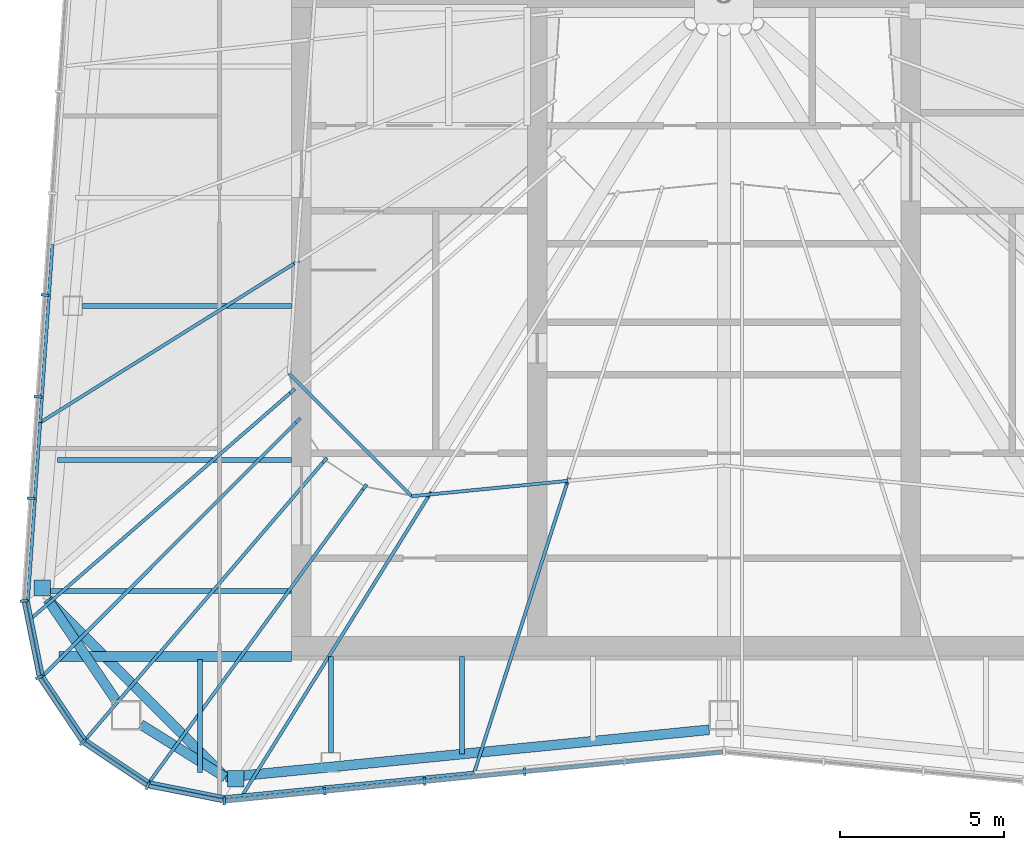
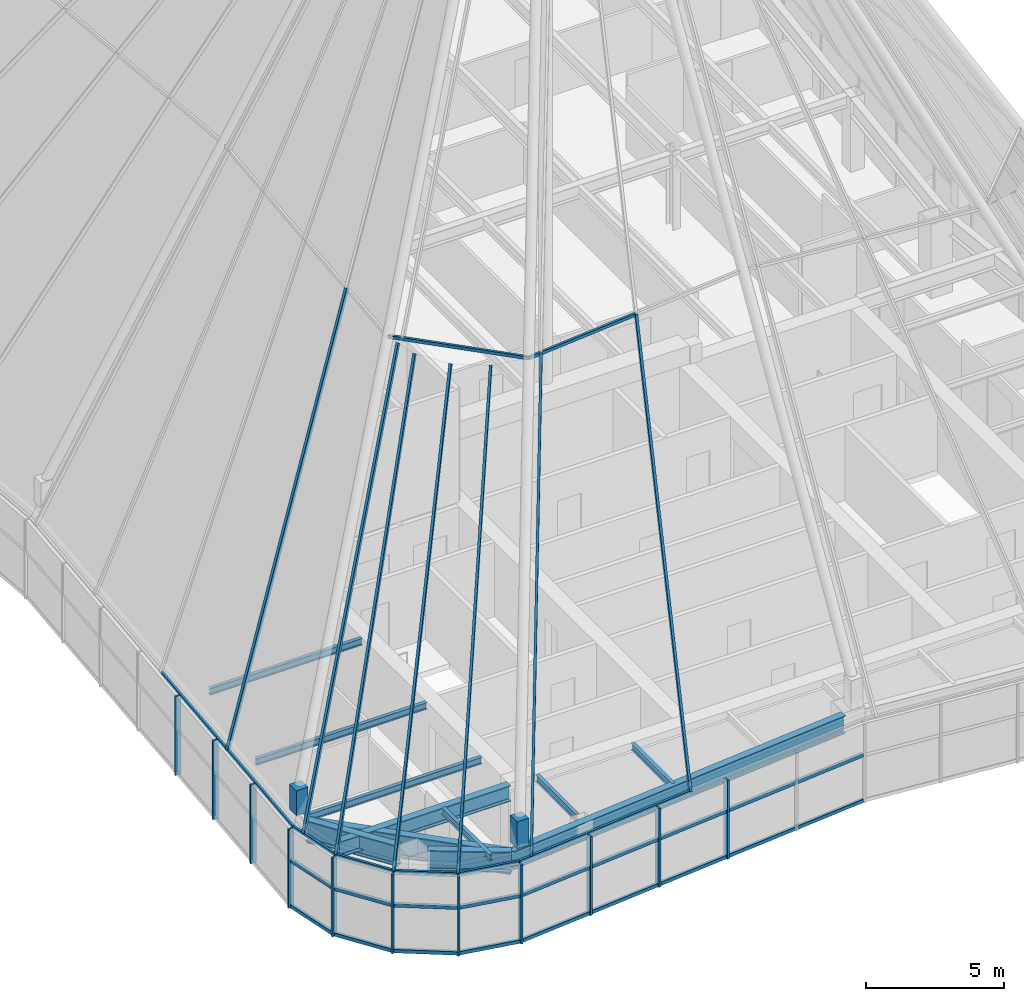
# One storey, part 3 of 28: 39 members, 11 beams, 13 elements without a shape of their own.
"""IFC4 building model written with IfcOpenShell, lengths in metres."""

from ifc_helpers import new_model, si_unit, direction, frame, origin, origin_2d, place, context, subcontext, project, spatial, rectangle, i_section, extrude, material, layer, layer_set, material_profile, profile_set, type_object, element, aggregate, save


model = new_model("IFC4")

# Units and contexts
model_context = context("Model", 3, precision=1e-05, world=origin(), true_north=direction((0.0, 1.0)))
body_context = subcontext(model_context, "Body", "Model", "MODEL_VIEW")
ifc_project = project(units=[si_unit("LENGTHUNIT", "METRE"), si_unit("AREAUNIT", "SQUARE_METRE"), si_unit("VOLUMEUNIT", "CUBIC_METRE"), si_unit("PLANEANGLEUNIT", "RADIAN"), si_unit("MASSUNIT", "GRAM", prefix="KILO")], contexts=[model_context])

# Site, building, storey
site_placement = place(None, origin())
site = spatial("IfcSite", under=ifc_project, at=site_placement, CompositionType="ELEMENT")
building_placement = place(site_placement, origin())
building = spatial("IfcBuilding", under=site, at=building_placement, Name="Verdant Reach Tower", CompositionType="ELEMENT")
storey_placement = place(building_placement, frame((0.0, 0.0, 368.0)))
storey = spatial("IfcBuildingStorey", under=building, at=storey_placement, Name="L83 Crown plant", CompositionType="ELEMENT", Elevation=368.0)

# Curtain wall, members
ifc_material_1 = material(Name="Anodised aluminium", Category="aluminium")
curtain_wall_type_1 = type_object("IfcCurtainWallType", Name="EN-CW SYSTEM PLANT", PredefinedType="NOTDEFINED", material=ifc_material_1)
curtain_wall_1_placement = place(storey_placement, origin())
curtain_wall_1 = element("IfcCurtainWall", 1, at=curtain_wall_1_placement, inside=storey, type_object=curtain_wall_type_1, Name="Curtain wall west, L83", PredefinedType="NOTDEFINED")
ifc_material_profile_1 = material_profile(ifc_material_1, rectangle(XDim=0.238037109375, YDim=0.080078125, at=origin_2d()), Name="Mullion 80x240")
ifc_profile_set_1 = profile_set([ifc_material_profile_1], Name="Anodised aluminium")
member_type_1 = type_object("IfcMemberType", Name="EN-MULLION PLANT", PredefinedType="MULLION", material=ifc_profile_set_1)
member_1_placement = place(storey_placement, frame((-20.725830078125, 28.82958984375, -0.35009765625), z_axis=(0.0, 0.0, 1.0), x_axis=(-0.997630328423, 0.068802091615, 0.0)))
member_1 = element("IfcMember", 2, at=member_1_placement, type_object=member_type_1, Name="Mullion west face part 2 5, L83", PredefinedType="MULLION", context=body_context, shape_type="SweptSolid", body=[
    extrude(rectangle(XDim=0.238037109375, YDim=0.080078125, at=origin_2d()), origin(), (0.0, 0.0, 1.0), 3.5),
])
member_2_placement = place(storey_placement, frame((-20.940185546875, 25.722412109375, -0.35009765625), z_axis=(0.0, 0.0, 1.0), x_axis=(-0.997630328423, 0.068802091615, 0.0)))
member_2 = element("IfcMember", 3, at=member_2_placement, type_object=member_type_1, Name="Mullion west face part 2 6, L83", PredefinedType="MULLION", context=body_context, shape_type="SweptSolid", body=[
    extrude(rectangle(XDim=0.238037109375, YDim=0.080078125, at=origin_2d()), origin(), (0.0, 0.0, 1.0), 3.5),
])
member_3_placement = place(storey_placement, frame((-21.154541015625, 22.615234375, -0.35009765625), z_axis=(0.0, 0.0, 1.0), x_axis=(-0.997630328423, 0.068802091615, 0.0)))
member_3 = element("IfcMember", 4, at=member_3_placement, type_object=member_type_1, Name="Mullion west face part 2 7, L83", PredefinedType="MULLION", context=body_context, shape_type="SweptSolid", body=[
    extrude(rectangle(XDim=0.238037109375, YDim=0.080078125, at=origin_2d()), origin(), (0.0, 0.0, 1.0), 3.5),
])
aggregate(curtain_wall_1, [member_1, member_2, member_3])

curtain_wall_2_placement = place(storey_placement, origin())
curtain_wall_2 = element("IfcCurtainWall", 5, at=curtain_wall_2_placement, inside=storey, type_object=curtain_wall_type_1, Name="Curtain wall south-west corner, L83", PredefinedType="NOTDEFINED")
member_4_placement = place(storey_placement, frame((-21.36865234375, 19.492431640625, -0.35009765625), z_axis=(0.0, 0.0, 1.0), x_axis=(-0.997969180898, -0.063698618332, 0.0)))
member_4 = element("IfcMember", 6, at=member_4_placement, type_object=member_type_1, Name="Mullion south-west corner 1, L83", PredefinedType="MULLION", context=body_context, shape_type="SweptSolid", body=[
    extrude(rectangle(XDim=0.238037109375, YDim=0.080078125, at=origin_2d()), origin(), (0.0, 0.0, 1.0), 3.5),
])
member_5_placement = place(storey_placement, frame((-20.9033203125, 17.158447265625, -0.35009765625), z_axis=(0.0, 0.0, 1.0), x_axis=(-0.923875215753, -0.382693853776, 0.0)))
member_5 = element("IfcMember", 7, at=member_5_placement, type_object=member_type_1, Name="Mullion south-west corner 2, L83", PredefinedType="MULLION", context=body_context, shape_type="SweptSolid", body=[
    extrude(rectangle(XDim=0.238037109375, YDim=0.080078125, at=origin_2d()), origin(), (0.0, 0.0, 1.0), 3.5),
])
member_6_placement = place(storey_placement, frame((-19.57666015625, 15.17333984375, -0.35009765625), z_axis=(0.0, 0.0, 1.0), x_axis=(-0.707106781187, -0.707106781187, 0.0)))
member_6 = element("IfcMember", 8, at=member_6_placement, type_object=member_type_1, Name="Mullion south-west corner 3, L83", PredefinedType="MULLION", context=body_context, shape_type="SweptSolid", body=[
    extrude(rectangle(XDim=0.238037109375, YDim=0.080078125, at=origin_2d()), origin(), (0.0, 0.0, 1.0), 3.5),
])
member_7_placement = place(storey_placement, frame((-17.591552734375, 13.8466796875, -0.35009765625), z_axis=(0.0, 0.0, 1.0), x_axis=(-0.382693853776, -0.923875215753, 0.0)))
member_7 = element("IfcMember", 9, at=member_7_placement, type_object=member_type_1, Name="Mullion south-west corner 4, L83", PredefinedType="MULLION", context=body_context, shape_type="SweptSolid", body=[
    extrude(rectangle(XDim=0.238037109375, YDim=0.080078125, at=origin_2d()), origin(), (0.0, 0.0, 1.0), 3.5),
])

curtain_wall_3_placement = place(storey_placement, origin())
curtain_wall_3 = element("IfcCurtainWall", 10, at=curtain_wall_3_placement, inside=storey, type_object=curtain_wall_type_1, Name="Curtain wall south, L83", PredefinedType="NOTDEFINED")
member_8_placement = place(storey_placement, frame((-15.255859375, 13.381103515625, -0.35009765625), z_axis=(0.0, 0.0, 1.0), x_axis=(-0.049127596288, -0.998792510626, 0.0)))
member_8 = element("IfcMember", 11, at=member_8_placement, type_object=member_type_1, Name="Mullion south face part 1 1, L83", PredefinedType="MULLION", context=body_context, shape_type="SweptSolid", body=[
    extrude(rectangle(XDim=0.238037109375, YDim=0.080078125, at=origin_2d()), origin(), (0.0, 0.0, 1.0), 3.5),
])
member_9_placement = place(storey_placement, frame((-12.188232421875, 13.681640625, -0.35009765625), z_axis=(0.0, 0.0, 1.0), x_axis=(0.09788826992, -0.995197410875, 0.0)))
member_9 = element("IfcMember", 12, at=member_9_placement, type_object=member_type_1, Name="Mullion south face part 1 2, L83", PredefinedType="MULLION", context=body_context, shape_type="SweptSolid", body=[
    extrude(rectangle(XDim=0.238037109375, YDim=0.080078125, at=origin_2d()), origin(), (0.0, 0.0, 1.0), 3.5),
])
member_10_placement = place(storey_placement, frame((-9.138427734375, 13.981689453125, -0.35009765625), z_axis=(0.0, 0.0, 1.0), x_axis=(0.09788826992, -0.995197410875, 0.0)))
member_10 = element("IfcMember", 13, at=member_10_placement, type_object=member_type_1, Name="Mullion south face part 1 3, L83", PredefinedType="MULLION", context=body_context, shape_type="SweptSolid", body=[
    extrude(rectangle(XDim=0.238037109375, YDim=0.080078125, at=origin_2d()), origin(), (0.0, 0.0, 1.0), 3.5),
])
member_11_placement = place(storey_placement, frame((-6.08837890625, 14.281494140625, -0.35009765625), z_axis=(0.0, 0.0, 1.0), x_axis=(0.09788826992, -0.995197410875, 0.0)))
member_11 = element("IfcMember", 14, at=member_11_placement, type_object=member_type_1, Name="Mullion south face part 1 4, L83", PredefinedType="MULLION", context=body_context, shape_type="SweptSolid", body=[
    extrude(rectangle(XDim=0.238037109375, YDim=0.080078125, at=origin_2d()), origin(), (0.0, 0.0, 1.0), 3.5),
])

# Curtain wall, member
curtain_wall_type_2 = type_object("IfcCurtainWallType", Name="EN-CW SYSTEM CROWN APEX", PredefinedType="NOTDEFINED", material=ifc_material_1)
curtain_wall_4_placement = place(storey_placement, origin())
curtain_wall_4 = element("IfcCurtainWall", 15, at=curtain_wall_4_placement, inside=storey, type_object=curtain_wall_type_2, Name="Crown glazing unit west face part 2 4, level 01", PredefinedType="NOTDEFINED")
ifc_material_profile_2 = material_profile(ifc_material_1, rectangle(XDim=0.10009765625, YDim=0.239990234375, at=origin_2d()), Name="Mullion 100x240")
ifc_profile_set_2 = profile_set([ifc_material_profile_2], Name="Anodised aluminium")
member_type_2 = type_object("IfcMemberType", Name="EN-RIB MULLION CROWN", PredefinedType="MULLION", material=ifc_profile_set_2)
member_12_placement = place(storey_placement, frame((-20.875, 24.9375, 3.14990234375), z_axis=(0.449012699639, 0.280969024625, 0.848200449637), x_axis=(-0.53045514425, 0.847713005644, 0.0)))
member_12 = element("IfcMember", 16, at=member_12_placement, type_object=member_type_2, Name="Crown mullion west face part 2 4, level 01", PredefinedType="MULLION", context=body_context, shape_type="SweptSolid", body=[
    extrude(rectangle(XDim=0.10009765625, YDim=0.239990234375, at=origin_2d()), origin(), (0.0, 0.0, 1.0), 17.43408203125),
])

curtain_wall_5_placement = place(storey_placement, origin())
curtain_wall_5 = element("IfcCurtainWall", 17, at=curtain_wall_5_placement, inside=storey, type_object=curtain_wall_type_2, Name="Crown glazing unit south-west corner 1, level 01", PredefinedType="NOTDEFINED")
member_13_placement = place(storey_placement, frame((-21.142822265625, 18.96044921875, 3.14990234375), z_axis=(0.438464049798, 0.381721643354, 0.81365709241), x_axis=(-0.656617966376, 0.754223339756, 0.0)))
member_13 = element("IfcMember", 18, at=member_13_placement, type_object=member_type_2, Name="Crown mullion south-west corner 1, level 01", PredefinedType="MULLION", context=body_context, shape_type="SweptSolid", body=[
    extrude(rectangle(XDim=0.10009765625, YDim=0.239990234375, at=origin_2d()), origin(), (0.0, 0.0, 1.0), 18.17431640625),
])

curtain_wall_6_placement = place(storey_placement, origin())
curtain_wall_6 = element("IfcCurtainWall", 19, at=curtain_wall_6_placement, inside=storey, type_object=curtain_wall_type_2, Name="Crown glazing unit south-west corner 2, level 01", PredefinedType="NOTDEFINED")
member_14_placement = place(storey_placement, frame((-20.793212890625, 17.203857421875, 3.14990234375), z_axis=(0.422691274786, 0.42275744851, 0.801628483744), x_axis=(-0.707162124646, 0.707051433395, 0.0)))
member_14 = element("IfcMember", 20, at=member_14_placement, type_object=member_type_2, Name="Crown mullion south-west corner 2, level 01", PredefinedType="MULLION", context=body_context, shape_type="SweptSolid", body=[
    extrude(rectangle(XDim=0.10009765625, YDim=0.239990234375, at=origin_2d()), origin(), (0.0, 0.0, 1.0), 18.447021484375),
])

curtain_wall_7_placement = place(storey_placement, origin())
curtain_wall_7 = element("IfcCurtainWall", 21, at=curtain_wall_7_placement, inside=storey, type_object=curtain_wall_type_2, Name="Crown glazing unit south-west corner 3, level 01", PredefinedType="NOTDEFINED")
member_15_placement = place(storey_placement, frame((-19.49267578125, 15.25732421875, 3.14990234375), z_axis=(0.393636847085, 0.459267091253, 0.796318888077), x_axis=(-0.759273478803, 0.650771683762, 0.0)))
member_15 = element("IfcMember", 22, at=member_15_placement, type_object=member_type_2, Name="Crown mullion south-west corner 3, level 01", PredefinedType="MULLION", context=body_context, shape_type="SweptSolid", body=[
    extrude(rectangle(XDim=0.10009765625, YDim=0.239990234375, at=origin_2d()), origin(), (0.0, 0.0, 1.0), 18.56982421875),
])

curtain_wall_8_placement = place(storey_placement, origin())
curtain_wall_8 = element("IfcCurtainWall", 23, at=curtain_wall_8_placement, inside=storey, type_object=curtain_wall_type_2, Name="Crown glazing unit south-west corner 4, level 01", PredefinedType="NOTDEFINED")
member_16_placement = place(storey_placement, frame((-17.546142578125, 13.956787109375, 3.14990234375), z_axis=(0.355144326864, 0.486641682724, 0.798155611226), x_axis=(-0.807769272417, 0.589498772296, 0.0)))
member_16 = element("IfcMember", 24, at=member_16_placement, type_object=member_type_2, Name="Crown mullion south-west corner 4, level 01", PredefinedType="MULLION", context=body_context, shape_type="SweptSolid", body=[
    extrude(rectangle(XDim=0.10009765625, YDim=0.239990234375, at=origin_2d()), origin(), (0.0, 0.0, 1.0), 18.527099609375),
])

curtain_wall_9_placement = place(storey_placement, origin())
curtain_wall_9 = element("IfcCurtainWall", 25, at=curtain_wall_9_placement, inside=storey, type_object=curtain_wall_type_2, Name="Crown glazing unit south face part 1 1, level 01", PredefinedType="NOTDEFINED")
member_17_placement = place(storey_placement, frame((-14.70263671875, 13.553955078125, 3.14990234375), z_axis=(0.312082184121, 0.501377935145, 0.806985053458), x_axis=(-0.848970240375, 0.528440659826, 0.0)))
member_17 = element("IfcMember", 26, at=member_17_placement, type_object=member_type_2, Name="Crown mullion south face part 1 1, level 01", PredefinedType="MULLION", context=body_context, shape_type="SweptSolid", body=[
    extrude(rectangle(XDim=0.10009765625, YDim=0.239990234375, at=origin_2d()), origin(), (0.0, 0.0, 1.0), 18.324462890625),
])

curtain_wall_10_placement = place(storey_placement, origin())
curtain_wall_10 = element("IfcCurtainWall", 27, at=curtain_wall_10_placement, inside=storey, type_object=curtain_wall_type_2, Name="Crown glazing unit south face part 1 2, level 01", PredefinedType="NOTDEFINED")
member_18_placement = place(storey_placement, frame((-7.625, 14.25, 3.14990234375), z_axis=(0.163414106655, 0.508994758433, 0.845115474734), x_axis=(-0.952132785838, 0.305684736506, 0.0)))
member_18 = element("IfcMember", 28, at=member_18_placement, type_object=member_type_2, Name="Crown mullion south face part 1 2, level 01", PredefinedType="MULLION", context=body_context, shape_type="SweptSolid", body=[
    extrude(rectangle(XDim=0.10009765625, YDim=0.239990234375, at=origin_2d()), origin(), (0.0, 0.0, 1.0), 17.497802734375),
])
aggregate(curtain_wall_10, [member_18])

curtain_wall_11_placement = place(storey_placement, origin())
curtain_wall_11 = element("IfcCurtainWall", 29, at=curtain_wall_11_placement, inside=storey, type_object=curtain_wall_type_2, Name="Crown glazing unit west face part 2 3, level 01", PredefinedType="NOTDEFINED")
ifc_material_profile_3 = material_profile(ifc_material_1, rectangle(XDim=0.10009765625, YDim=0.139892578125, at=origin_2d()), Name="Transom 140x100")
ifc_profile_set_3 = profile_set([ifc_material_profile_3], Name="Anodised aluminium")
member_type_3 = type_object("IfcMemberType", Name="EN-TRANSOM CROWN", PredefinedType="USERDEFINED", material=ifc_profile_set_3)
member_19_placement = place(storey_placement, frame((-20.5, 30.375, 3.14990234375), z_axis=(-0.068802091615, -0.997630328423, 0.0), x_axis=(0.997630328423, -0.068802091615, 0.0)))
member_19 = element("IfcMember", 30, at=member_19_placement, type_object=member_type_3, Name="Crown transom west face part 2 3, level 01", ObjectType="TRANSOM", PredefinedType="USERDEFINED", context=body_context, shape_type="SweptSolid", body=[
    extrude(rectangle(XDim=0.10009765625, YDim=0.139892578125, at=origin_2d()), origin(), (0.0, 0.0, 1.0), 5.450439453125),
])
aggregate(curtain_wall_11, [member_19])

# Member
member_20_placement = place(storey_placement, frame((-20.875, 24.9375, 3.14990234375), z_axis=(-0.068802091615, -0.997630328423, 0.0), x_axis=(0.997630328423, -0.068802091615, 0.0)))
member_20 = element("IfcMember", 31, at=member_20_placement, type_object=member_type_3, Name="Crown transom west face part 2 4, level 01", ObjectType="TRANSOM", PredefinedType="USERDEFINED", context=body_context, shape_type="SweptSolid", body=[
    extrude(rectangle(XDim=0.10009765625, YDim=0.139892578125, at=origin_2d()), origin(), (0.0, 0.0, 1.0), 5.450439453125),
])

aggregate(curtain_wall_4, [member_12, member_20])

member_21_placement = place(storey_placement, frame((-21.25, 19.5, 3.14990234375), z_axis=(0.195113312377, -0.980780707056, 0.0), x_axis=(0.980780707056, 0.195113312377, 0.0)))
member_21 = element("IfcMember", 32, at=member_21_placement, type_object=member_type_3, Name="Crown transom south-west corner 1, level 01", ObjectType="TRANSOM", PredefinedType="USERDEFINED", context=body_context, shape_type="SweptSolid", body=[
    extrude(rectangle(XDim=0.10009765625, YDim=0.139892578125, at=origin_2d()), origin(), (0.0, 0.0, 1.0), 2.341064453125),
])

aggregate(curtain_wall_5, [member_13, member_21])

member_22_placement = place(storey_placement, frame((-20.793212890625, 17.203857421875, 3.14990234375), z_axis=(0.55554223823, -0.831488317141, 0.0), x_axis=(0.831488317141, 0.55554223823, 0.0)))
member_22 = element("IfcMember", 33, at=member_22_placement, type_object=member_type_3, Name="Crown transom south-west corner 2, level 01", ObjectType="TRANSOM", PredefinedType="USERDEFINED", context=body_context, shape_type="SweptSolid", body=[
    extrude(rectangle(XDim=0.10009765625, YDim=0.139892578125, at=origin_2d()), origin(), (0.0, 0.0, 1.0), 2.341064453125),
])

aggregate(curtain_wall_6, [member_14, member_22])

member_23_placement = place(storey_placement, frame((-19.49267578125, 15.25732421875, 3.14990234375), z_axis=(0.831488317141, -0.55554223823, 0.0), x_axis=(0.55554223823, 0.831488317141, 0.0)))
member_23 = element("IfcMember", 34, at=member_23_placement, type_object=member_type_3, Name="Crown transom south-west corner 3, level 01", ObjectType="TRANSOM", PredefinedType="USERDEFINED", context=body_context, shape_type="SweptSolid", body=[
    extrude(rectangle(XDim=0.10009765625, YDim=0.139892578125, at=origin_2d()), origin(), (0.0, 0.0, 1.0), 2.341064453125),
])

aggregate(curtain_wall_7, [member_15, member_23])

member_24_placement = place(storey_placement, frame((-17.546142578125, 13.956787109375, 3.14990234375), z_axis=(0.980780707056, -0.195113312377, 0.0), x_axis=(0.195113312377, 0.980780707056, 0.0)))
member_24 = element("IfcMember", 35, at=member_24_placement, type_object=member_type_3, Name="Crown transom south-west corner 4, level 01", ObjectType="TRANSOM", PredefinedType="USERDEFINED", context=body_context, shape_type="SweptSolid", body=[
    extrude(rectangle(XDim=0.10009765625, YDim=0.139892578125, at=origin_2d()), origin(), (0.0, 0.0, 1.0), 2.341064453125),
])

aggregate(curtain_wall_8, [member_16, member_24])

member_25_placement = place(storey_placement, frame((-15.25, 13.5, 3.14990234375), z_axis=(0.995197410875, 0.097888269922, 0.0), x_axis=(-0.097888269922, 0.995197410875, 0.0)))
member_25 = element("IfcMember", 36, at=member_25_placement, type_object=member_type_3, Name="Crown transom south face part 1 1, level 01", ObjectType="TRANSOM", PredefinedType="USERDEFINED", context=body_context, shape_type="SweptSolid", body=[
    extrude(rectangle(XDim=0.10009765625, YDim=0.139892578125, at=origin_2d()), origin(), (0.0, 0.0, 1.0), 7.661865234375),
])

aggregate(curtain_wall_9, [member_17, member_25])

# Curtain wall, member
curtain_wall_12_placement = place(storey_placement, origin())
curtain_wall_12 = element("IfcCurtainWall", 37, at=curtain_wall_12_placement, inside=storey, type_object=curtain_wall_type_2, Name="Crown glazing unit south-west corner 1, level 02", PredefinedType="NOTDEFINED")
member_26_placement = place(storey_placement, frame((-13.28125, 26.4375, 17.9375), z_axis=(0.707106781187, -0.707106781187, 0.0), x_axis=(0.707106781187, 0.707106781187, 0.0)))
member_26 = element("IfcMember", 38, at=member_26_placement, type_object=member_type_3, Name="Crown transom south-west corner 1, level 02", ObjectType="TRANSOM", PredefinedType="USERDEFINED", context=body_context, shape_type="SweptSolid", body=[
    extrude(rectangle(XDim=0.10009765625, YDim=0.139892578125, at=origin_2d()), origin(), (0.0, 0.0, 1.0), 5.30322265625),
])
aggregate(curtain_wall_12, [member_26])

curtain_wall_13_placement = place(storey_placement, origin())
curtain_wall_13 = element("IfcCurtainWall", 39, at=curtain_wall_13_placement, inside=storey, type_object=curtain_wall_type_2, Name="Crown glazing unit south face part 1 1, level 02", PredefinedType="NOTDEFINED")
member_27_placement = place(storey_placement, frame((-9.53125, 22.6875, 17.9375), z_axis=(0.995197410875, 0.097888269922, 0.0), x_axis=(-0.097888269922, 0.995197410875, 0.0)))
member_27 = element("IfcMember", 40, at=member_27_placement, type_object=member_type_3, Name="Crown transom south face part 1 1, level 02", ObjectType="TRANSOM", PredefinedType="USERDEFINED", context=body_context, shape_type="SweptSolid", body=[
    extrude(rectangle(XDim=0.10009765625, YDim=0.139892578125, at=origin_2d()), origin(), (0.0, 0.0, 1.0), 4.78857421875),
])
aggregate(curtain_wall_13, [member_27])

# Member
ifc_material_profile_4 = material_profile(ifc_material_1, rectangle(XDim=0.1201171875, YDim=0.14990234375, at=origin_2d()), Name="Transom 150x120")
ifc_profile_set_4 = profile_set([ifc_material_profile_4], Name="Anodised aluminium")
member_type_4 = type_object("IfcMemberType", Name="EN-TRANSOM PLANT", PredefinedType="USERDEFINED", material=ifc_profile_set_4)
member_28_placement = place(storey_placement, frame((-21.36083984375, 19.453125, -0.27490234375), z_axis=(0.195524121666, -0.980698892549, 0.0), x_axis=(0.980698892549, 0.195524121666, 0.0)))
member_28 = element("IfcMember", 41, at=member_28_placement, type_object=member_type_4, Name="Transom south-west corner 1.1, L83", ObjectType="TRANSOM", PredefinedType="USERDEFINED", context=body_context, shape_type="SweptSolid", body=[
    extrude(rectangle(XDim=0.1201171875, YDim=0.14990234375, at=origin_2d()), origin(), (0.0, 0.0, 1.0), 2.300048828125),
])

member_29_placement = place(storey_placement, frame((-20.881103515625, 17.125, -0.27490234375), z_axis=(0.5556764556, -0.831398626828, 0.0), x_axis=(0.831398626828, 0.5556764556, 0.0)))
member_29 = element("IfcMember", 42, at=member_29_placement, type_object=member_type_4, Name="Transom south-west corner 2.1, L83", ObjectType="TRANSOM", PredefinedType="USERDEFINED", context=body_context, shape_type="SweptSolid", body=[
    extrude(rectangle(XDim=0.1201171875, YDim=0.14990234375, at=origin_2d()), origin(), (0.0, 0.0, 1.0), 2.3076171875),
])

member_30_placement = place(storey_placement, frame((-19.54345703125, 15.151123046875, -0.27490234375), z_axis=(0.831398626828, -0.5556764556, 0.0), x_axis=(0.5556764556, 0.831398626828, 0.0)))
member_30 = element("IfcMember", 43, at=member_30_placement, type_object=member_type_4, Name="Transom south-west corner 3.1, L83", ObjectType="TRANSOM", PredefinedType="USERDEFINED", context=body_context, shape_type="SweptSolid", body=[
    extrude(rectangle(XDim=0.1201171875, YDim=0.14990234375, at=origin_2d()), origin(), (0.0, 0.0, 1.0), 2.3076171875),
])

member_31_placement = place(storey_placement, frame((-17.552490234375, 13.8388671875, -0.27490234375), z_axis=(0.980706937788, -0.195483764476, 0.0), x_axis=(0.195483764476, 0.980706937788, 0.0)))
member_31 = element("IfcMember", 44, at=member_31_placement, type_object=member_type_4, Name="Transom south-west corner 4.1, L83", ObjectType="TRANSOM", PredefinedType="USERDEFINED", context=body_context, shape_type="SweptSolid", body=[
    extrude(rectangle(XDim=0.1201171875, YDim=0.14990234375, at=origin_2d()), origin(), (0.0, 0.0, 1.0), 2.3017578125),
])

member_32_placement = place(storey_placement, frame((-21.36083984375, 19.453125, 1.75), z_axis=(0.195524121666, -0.980698892549, 0.0), x_axis=(0.980698892549, 0.195524121666, 0.0)))
member_32 = element("IfcMember", 45, at=member_32_placement, type_object=member_type_4, Name="Transom south-west corner 1.2, L83", ObjectType="TRANSOM", PredefinedType="USERDEFINED", context=body_context, shape_type="SweptSolid", body=[
    extrude(rectangle(XDim=0.1201171875, YDim=0.14990234375, at=origin_2d()), origin(), (0.0, 0.0, 1.0), 2.300048828125),
])

member_33_placement = place(storey_placement, frame((-20.881103515625, 17.125, 1.75), z_axis=(0.5556764556, -0.831398626828, 0.0), x_axis=(0.831398626828, 0.5556764556, 0.0)))
member_33 = element("IfcMember", 46, at=member_33_placement, type_object=member_type_4, Name="Transom south-west corner 2.2, L83", ObjectType="TRANSOM", PredefinedType="USERDEFINED", context=body_context, shape_type="SweptSolid", body=[
    extrude(rectangle(XDim=0.1201171875, YDim=0.14990234375, at=origin_2d()), origin(), (0.0, 0.0, 1.0), 2.3076171875),
])

member_34_placement = place(storey_placement, frame((-19.54345703125, 15.151123046875, 1.75), z_axis=(0.831398626828, -0.5556764556, 0.0), x_axis=(0.5556764556, 0.831398626828, 0.0)))
member_34 = element("IfcMember", 47, at=member_34_placement, type_object=member_type_4, Name="Transom south-west corner 3.2, L83", ObjectType="TRANSOM", PredefinedType="USERDEFINED", context=body_context, shape_type="SweptSolid", body=[
    extrude(rectangle(XDim=0.1201171875, YDim=0.14990234375, at=origin_2d()), origin(), (0.0, 0.0, 1.0), 2.3076171875),
])

member_35_placement = place(storey_placement, frame((-17.552490234375, 13.8388671875, 1.75), z_axis=(0.980706937788, -0.195483764476, 0.0), x_axis=(0.195483764476, 0.980706937788, 0.0)))
member_35 = element("IfcMember", 48, at=member_35_placement, type_object=member_type_4, Name="Transom south-west corner 4.2, L83", ObjectType="TRANSOM", PredefinedType="USERDEFINED", context=body_context, shape_type="SweptSolid", body=[
    extrude(rectangle(XDim=0.1201171875, YDim=0.14990234375, at=origin_2d()), origin(), (0.0, 0.0, 1.0), 2.3017578125),
])

aggregate(curtain_wall_2, [member_4, member_5, member_6, member_7, member_28, member_29, member_30, member_31, member_32, member_33, member_34, member_35])

member_36_placement = place(storey_placement, frame((-15.216064453125, 13.385009765625, -0.27490234375), z_axis=(0.995200989722, 0.097851878144, 0.0), x_axis=(-0.097851878144, 0.995200989722, 0.0)))
member_36 = element("IfcMember", 49, at=member_36_placement, type_object=member_type_4, Name="Transom south face part 1 1.1, L83", ObjectType="TRANSOM", PredefinedType="USERDEFINED", context=body_context, shape_type="SweptSolid", body=[
    extrude(rectangle(XDim=0.1201171875, YDim=0.14990234375, at=origin_2d()), origin(), (0.0, 0.0, 1.0), 15.24951171875),
])

member_37_placement = place(storey_placement, frame((-15.216064453125, 13.385009765625, 1.75), z_axis=(0.995200989722, 0.097851878144, 0.0), x_axis=(-0.097851878144, 0.995200989722, 0.0)))
member_37 = element("IfcMember", 50, at=member_37_placement, type_object=member_type_4, Name="Transom south face part 1 1.2, L83", ObjectType="TRANSOM", PredefinedType="USERDEFINED", context=body_context, shape_type="SweptSolid", body=[
    extrude(rectangle(XDim=0.1201171875, YDim=0.14990234375, at=origin_2d()), origin(), (0.0, 0.0, 1.0), 15.24951171875),
])

aggregate(curtain_wall_3, [member_8, member_9, member_10, member_11, member_36, member_37])

# Beams
ifc_material_2 = material(Name="Steel S355", Category="steel")
ifc_material_profile_5 = material_profile(ifc_material_2, i_section(OverallWidth=0.300048828125, OverallDepth=0.699951171875, WebThickness=0.01708984375, FlangeThickness=0.031982421875, FilletRadius=0.027099609375, at=origin_2d()), Name="HEB 700")
ifc_profile_set_5 = profile_set([ifc_material_profile_5], Name="Steel S355")
beam_type_1 = type_object("IfcBeamType", Name="ST-BEAM-HEB700", PredefinedType="BEAM", material=ifc_profile_set_5)
beam_1_placement = place(storey_placement, frame((-13.199951171875, 17.800048828125, 2.949951171875), z_axis=(-1.0, 0.0, 0.0), x_axis=(0.0, -1.0, 0.0)))
element("IfcBeam", 51, at=beam_1_placement, inside=storey, type_object=beam_type_1, Name="Trimmer beam, L83 Crown plant", PredefinedType="BEAM", context=body_context, shape_type="SweptSolid", body=[
    extrude(i_section(OverallWidth=0.300048828125, OverallDepth=0.699951171875, WebThickness=0.01708984375, FlangeThickness=0.031982421875, FilletRadius=0.027099609375, at=origin_2d()), origin(), (0.0, 0.0, 1.0), 7.10009765625),
])
ifc_material_profile_6 = material_profile(ifc_material_2, i_section(OverallWidth=0.302001953125, OverallDepth=0.909912109375, WebThickness=0.02099609375, FlangeThickness=0.0400390625, FilletRadius=0.030029296875, at=origin_2d()), Name="HEM 900")
ifc_profile_set_6 = profile_set([ifc_material_profile_6], Name="Steel S355")
beam_type_2 = type_object("IfcBeamType", Name="ST-BEAM-HEM900", PredefinedType="BEAM", material=ifc_profile_set_6)
beam_2_placement = place(storey_placement, frame((-17.800048828125, 15.71875, 2.844970703125), z_axis=(0.847903624467, -0.530150397166, 0.0), x_axis=(0.530150397166, 0.847903624467, 0.0)))
element("IfcBeam", 52, at=beam_2_placement, inside=storey, type_object=beam_type_2, Name="Column stub beam, L83 Crown plant", PredefinedType="BEAM", context=body_context, shape_type="SweptSolid", body=[
    extrude(i_section(OverallWidth=0.302001953125, OverallDepth=0.909912109375, WebThickness=0.02099609375, FlangeThickness=0.0400390625, FilletRadius=0.030029296875, at=origin_2d()), origin(), (0.0, 0.0, 1.0), 3.042724609375),
])
beam_3_placement = place(storey_placement, frame((-18.5546875, 16.449951171875, 2.844970703125), z_axis=(-0.560667226688, 0.828041219335, 0.0), x_axis=(-0.828041219335, -0.560667226688, 0.0)))
element("IfcBeam", 53, at=beam_3_placement, inside=storey, type_object=beam_type_2, Name="Column stub beam, L83 Crown plant", PredefinedType="BEAM", context=body_context, shape_type="SweptSolid", body=[
    extrude(i_section(OverallWidth=0.302001953125, OverallDepth=0.909912109375, WebThickness=0.02099609375, FlangeThickness=0.0400390625, FilletRadius=0.030029296875, at=origin_2d()), origin(), (0.0, 0.0, 1.0), 3.72998046875),
])
ifc_material_profile_7 = material_profile(ifc_material_2, i_section(OverallWidth=0.14990234375, OverallDepth=0.300048828125, WebThickness=0.007080078125, FlangeThickness=0.0107421875, FilletRadius=0.014892578125, at=origin_2d()), Name="IPE 300")
ifc_profile_set_7 = profile_set([ifc_material_profile_7], Name="Steel S355")
beam_type_3 = type_object("IfcBeamType", Name="ST-JOIST-IPE300", PredefinedType="JOIST", material=ifc_profile_set_7)
beam_4_placement = place(storey_placement, frame((-16.0, 17.699951171875, 3.14990234375), z_axis=(0.0, -1.0, 0.0), x_axis=(1.0, 0.0, 0.0)))
element("IfcBeam", 54, at=beam_4_placement, inside=storey, type_object=beam_type_3, Name="Floor joist, L83 Crown plant", PredefinedType="JOIST", context=body_context, shape_type="SweptSolid", body=[
    extrude(i_section(OverallWidth=0.14990234375, OverallDepth=0.300048828125, WebThickness=0.007080078125, FlangeThickness=0.0107421875, FilletRadius=0.014892578125, at=origin_2d()), origin(), (0.0, 0.0, 1.0), 3.43896484375),
])
beam_5_placement = place(storey_placement, frame((-12.0, 17.800048828125, 3.14990234375), z_axis=(0.0, -1.0, 0.0), x_axis=(1.0, 0.0, 0.0)))
element("IfcBeam", 55, at=beam_5_placement, inside=storey, type_object=beam_type_3, Name="Floor joist, L83 Crown plant", PredefinedType="JOIST", context=body_context, shape_type="SweptSolid", body=[
    extrude(i_section(OverallWidth=0.14990234375, OverallDepth=0.300048828125, WebThickness=0.007080078125, FlangeThickness=0.0107421875, FilletRadius=0.014892578125, at=origin_2d()), origin(), (0.0, 0.0, 1.0), 2.930419921875),
])
beam_6_placement = place(storey_placement, frame((-8.0, 17.800048828125, 3.14990234375), z_axis=(0.0, -1.0, 0.0), x_axis=(1.0, 0.0, 0.0)))
element("IfcBeam", 56, at=beam_6_placement, inside=storey, type_object=beam_type_3, Name="Floor joist, L83 Crown plant", PredefinedType="JOIST", context=body_context, shape_type="SweptSolid", body=[
    extrude(i_section(OverallWidth=0.14990234375, OverallDepth=0.300048828125, WebThickness=0.007080078125, FlangeThickness=0.0107421875, FilletRadius=0.014892578125, at=origin_2d()), origin(), (0.0, 0.0, 1.0), 2.984130859375),
])
beam_7_placement = place(storey_placement, frame((-13.199951171875, 19.800048828125, 3.14990234375), z_axis=(-1.0, 0.0, 0.0), x_axis=(0.0, -1.0, 0.0)))
element("IfcBeam", 57, at=beam_7_placement, inside=storey, type_object=beam_type_3, Name="Floor joist, L83 Crown plant", PredefinedType="JOIST", context=body_context, shape_type="SweptSolid", body=[
    extrude(i_section(OverallWidth=0.14990234375, OverallDepth=0.300048828125, WebThickness=0.007080078125, FlangeThickness=0.0107421875, FilletRadius=0.014892578125, at=origin_2d()), origin(), (0.0, 0.0, 1.0), 7.427978515625),
])
beam_8_placement = place(storey_placement, frame((-13.199951171875, 23.800048828125, 3.14990234375), z_axis=(-1.0, 0.0, 0.0), x_axis=(0.0, -1.0, 0.0)))
element("IfcBeam", 58, at=beam_8_placement, inside=storey, type_object=beam_type_3, Name="Floor joist, L83 Crown plant", PredefinedType="JOIST", context=body_context, shape_type="SweptSolid", body=[
    extrude(i_section(OverallWidth=0.14990234375, OverallDepth=0.300048828125, WebThickness=0.007080078125, FlangeThickness=0.0107421875, FilletRadius=0.014892578125, at=origin_2d()), origin(), (0.0, 0.0, 1.0), 7.152099609375),
])
beam_9_placement = place(storey_placement, frame((-13.199951171875, 28.5, 3.14990234375), z_axis=(-1.0, 0.0, 0.0), x_axis=(0.0, -1.0, 0.0)))
element("IfcBeam", 59, at=beam_9_placement, inside=storey, type_object=beam_type_3, Name="Floor joist, L83 Crown plant", PredefinedType="JOIST", context=body_context, shape_type="SweptSolid", body=[
    extrude(i_section(OverallWidth=0.14990234375, OverallDepth=0.300048828125, WebThickness=0.007080078125, FlangeThickness=0.0107421875, FilletRadius=0.014892578125, at=origin_2d()), origin(), (0.0, 0.0, 1.0), 6.37939453125),
])

# Members
ifc_material_3 = material(Name="Steel S460", Category="steel")
ifc_layer = layer(ifc_material_3, 0.5)
ifc_layer_set = layer_set([ifc_layer], Name="ST-NODE-FOOT")
member_type_5 = type_object("IfcMemberType", Name="ST-NODE-FOOT", PredefinedType="POST", material=ifc_layer_set)
member_38_placement = place(storey_placement, frame((-20.8056640625, 19.88671875, 3.5), z_axis=(0.0, 0.0, 1.0), x_axis=(1.0, 0.0, 0.0)))
element("IfcMember", 60, at=member_38_placement, inside=storey, type_object=member_type_5, Name="Crown rib foot node 10", PredefinedType="POST", context=body_context, shape_type="SweptSolid", body=[
    extrude(rectangle(XDim=0.5, YDim=0.5, at=origin_2d()), origin(), (0.0, 0.0, 1.0), 1.10498046875),
])
member_39_placement = place(storey_placement, frame((-14.8984375, 14.064697265625, 3.5), z_axis=(0.0, 0.0, 1.0), x_axis=(1.0, 0.0, 0.0)))
element("IfcMember", 61, at=member_39_placement, inside=storey, type_object=member_type_5, Name="Crown rib foot node 11", PredefinedType="POST", context=body_context, shape_type="SweptSolid", body=[
    extrude(rectangle(XDim=0.5, YDim=0.5, at=origin_2d()), origin(), (0.0, 0.0, 1.0), 1.187255859375),
])

# Beams
ifc_material_profile_8 = material_profile(ifc_material_2, i_section(OverallWidth=0.300048828125, OverallDepth=0.800048828125, WebThickness=0.017578125, FlangeThickness=0.032958984375, FilletRadius=0.030029296875, at=origin_2d()), Name="HEB 800")
ifc_profile_set_8 = profile_set([ifc_material_profile_8], Name="Steel S355")
beam_type_4 = type_object("IfcBeamType", Name="ST-SPANDREL-HEB800", PredefinedType="SPANDREL", material=ifc_profile_set_8)
beam_10_placement = place(storey_placement, frame((-0.449951171875, 15.55859375, 2.89990234375), z_axis=(-0.995196964263, -0.097892810366, 0.0), x_axis=(0.097892810366, -0.995196964263, 0.0)))
element("IfcBeam", 62, at=beam_10_placement, inside=storey, type_object=beam_type_4, Name="Edge beam, L83 Crown plant", PredefinedType="SPANDREL", context=body_context, shape_type="SweptSolid", body=[
    extrude(i_section(OverallWidth=0.300048828125, OverallDepth=0.800048828125, WebThickness=0.017578125, FlangeThickness=0.032958984375, FilletRadius=0.030029296875, at=origin_2d()), origin(), (0.0, 0.0, 1.0), 14.841552734375),
])
ifc_material_profile_9 = material_profile(ifc_material_2, i_section(OverallWidth=0.302001953125, OverallDepth=1.008056640625, WebThickness=0.02099609375, FlangeThickness=0.0400390625, FilletRadius=0.030029296875, at=origin_2d()), Name="HEM 1000")
ifc_profile_set_9 = profile_set([ifc_material_profile_9], Name="Steel S355")
beam_type_5 = type_object("IfcBeamType", Name="ST-SPANDREL-HEM1000", PredefinedType="SPANDREL", material=ifc_profile_set_9)
beam_11_placement = place(storey_placement, frame((-15.22021484375, 14.105712890625, 2.7958984375), z_axis=(-0.706645581521, 0.707567680237, 0.0), x_axis=(-0.707567680237, -0.706645581521, 0.0)))
element("IfcBeam", 63, at=beam_11_placement, inside=storey, type_object=beam_type_5, Name="Edge beam, L83 Crown plant", PredefinedType="SPANDREL", context=body_context, shape_type="SweptSolid", body=[
    extrude(i_section(OverallWidth=0.302001953125, OverallDepth=1.008056640625, WebThickness=0.02099609375, FlangeThickness=0.0400390625, FilletRadius=0.030029296875, at=origin_2d()), origin(), (0.0, 0.0, 1.0), 7.67822265625),
])

save(model, "model.ifc")
